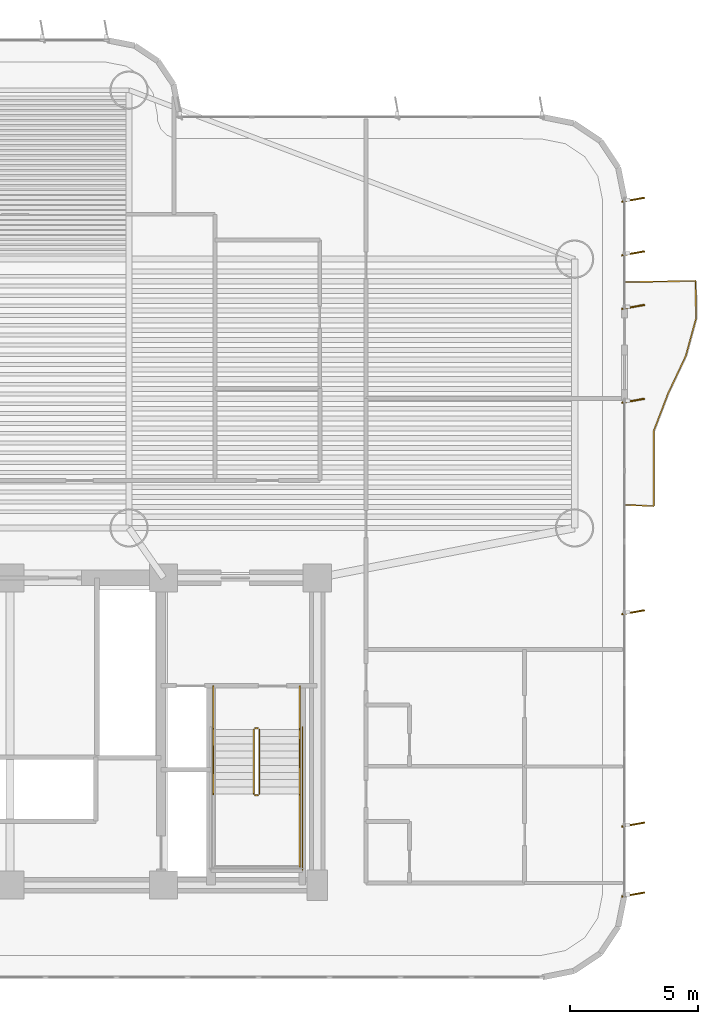
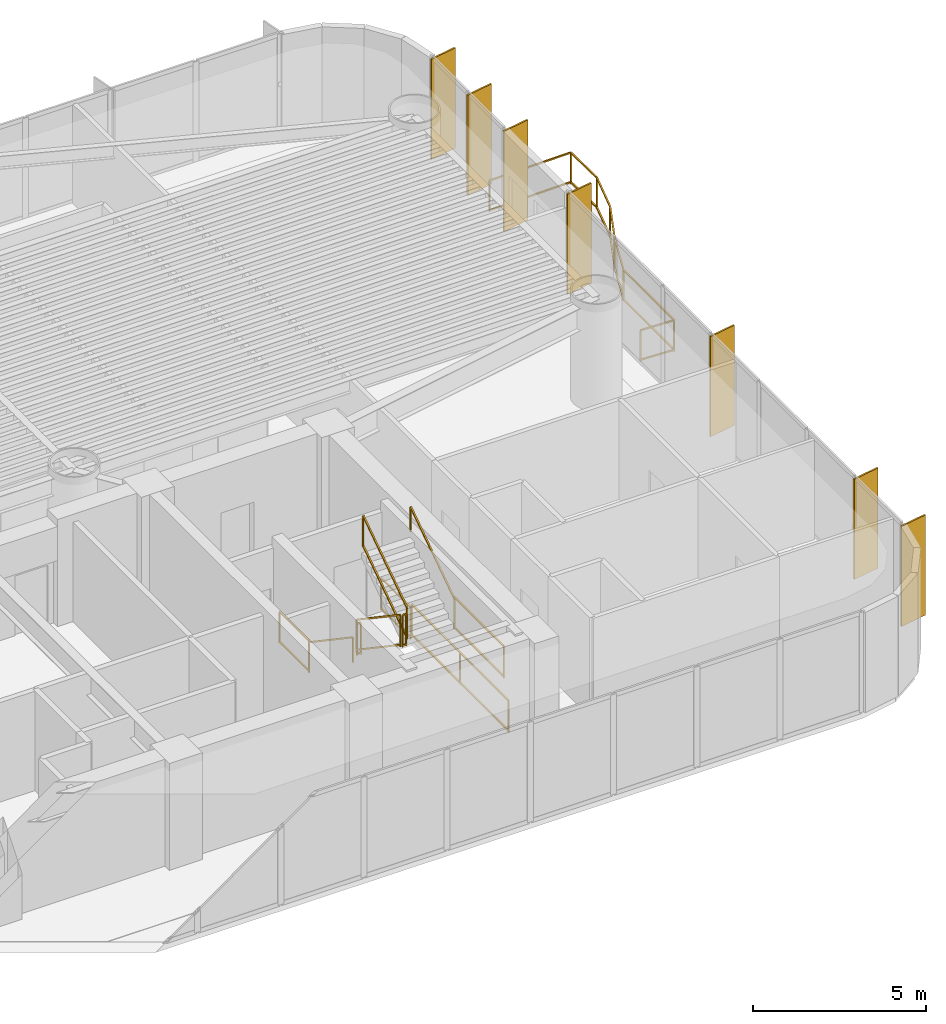
# One storey, part 16 of 17: 11 railings, 7 shading devices.
"""IFC4 building model written with IfcOpenShell, lengths in metres."""

import ifcopenshell
import ifcopenshell.guid

model = None  # the IFC model being written
_history = None  # IfcOwnerHistory: only IFC2X3 demands one
_inside = {}  # id of a spatial element -> (the spatial element, [elements in it])
_under = {}  # id of a project, library or spatial element -> (it, [spatial elements below it])
_declared = {}  # id of a project -> (the project, [libraries it declares])
_typed = {}  # id of a type object -> (the type object, [elements of that type])
_made_of = {}  # id of a material, layer set ... -> (it, [elements and type objects made of it])


def new_model(schema):
    """Start an empty IFC model of exactly this schema.

    Asked for "IFC4X3", IfcOpenShell would pick the latest addendum, in which some entities
    have other attributes; the version numbers below select the first issue.
    IFC2X3 requires an IfcOwnerHistory on every rooted entity: one is made here for all.
    """
    global model, _history
    if schema == "IFC4X3":
        model = ifcopenshell.file(schema_version=(4, 3, 0, 0))
    else:
        model = ifcopenshell.file(schema=schema)
    _inside.clear()
    _under.clear()
    _declared.clear()
    _typed.clear()
    _made_of.clear()
    _history = None
    if model.schema == "IFC2X3":
        org = make("IfcOrganization", Name="unknown")
        user = make(
            "IfcPersonAndOrganization",
            ThePerson=make("IfcPerson", FamilyName="unknown"),
            TheOrganization=org,
        )
        app = make(
            "IfcApplication",
            ApplicationDeveloper=org,
            Version="unknown",
            ApplicationFullName="unknown",
            ApplicationIdentifier="unknown",
        )
        _history = make(
            "IfcOwnerHistory",
            OwningUser=user,
            OwningApplication=app,
            ChangeAction="ADDED",
            CreationDate=0,
        )
    return model


def make(cls, **values):
    """One entity of the class cls with the attributes given. An attribute that is None is left unset."""
    return model.create_entity(
        cls, **{name: value for name, value in values.items() if value is not None}
    )


def rooted(cls, **values):
    """An entity with a GlobalId (a new one), such as an element, a storey or a relation."""
    return make(cls, GlobalId=ifcopenshell.guid.new(), OwnerHistory=_history, **values)


def si_unit(unit_type, name, prefix=None):
    """IfcSIUnit, for example si_unit("LENGTHUNIT", "METRE", prefix="MILLI")."""
    return make("IfcSIUnit", UnitType=unit_type, Prefix=prefix, Name=name)


def assignment(units):
    """IfcUnitAssignment: the units of a project."""
    return None if units is None else make("IfcUnitAssignment", Units=units)


def point(xyz):
    """IfcCartesianPoint."""
    return None if xyz is None else make("IfcCartesianPoint", Coordinates=xyz)


def direction(xyz):
    """IfcDirection."""
    return None if xyz is None else make("IfcDirection", DirectionRatios=xyz)


def frame(location, z_axis=None, x_axis=None):
    """IfcAxis2Placement3D, a coordinate frame: its origin and axes. An axis left out is left unset."""
    return make(
        "IfcAxis2Placement3D",
        Location=point(location),
        Axis=direction(z_axis),
        RefDirection=direction(x_axis),
    )


def frame_2d(location, x_axis=None):
    """IfcAxis2Placement2D, a coordinate frame in the plane: its origin and x axis."""
    return make(
        "IfcAxis2Placement2D", Location=point(location), RefDirection=direction(x_axis)
    )


def origin():
    """The frame at (0, 0, 0) with its axes left unset."""
    return frame((0.0, 0.0, 0.0))


def origin_2d():
    """The frame at (0, 0) in the plane with its x axis left unset."""
    return frame_2d((0.0, 0.0))


def place(relative_to, where):
    """IfcLocalPlacement: puts the frame where relative to a parent placement (None: the world)."""
    return make(
        "IfcLocalPlacement", PlacementRelTo=relative_to, RelativePlacement=where
    )


def context(
    kind, dimensions, precision=None, world=None, true_north=None, identifier=None
):
    """IfcGeometricRepresentationContext, for example the 3D "Model" context."""
    return make(
        "IfcGeometricRepresentationContext",
        ContextIdentifier=identifier,
        ContextType=kind,
        CoordinateSpaceDimension=dimensions,
        Precision=precision,
        WorldCoordinateSystem=world,
        TrueNorth=true_north,
    )


def subcontext(parent, identifier, kind, view, scale=None):
    """IfcGeometricRepresentationSubContext, for example "Body" below "Model"."""
    return make(
        "IfcGeometricRepresentationSubContext",
        ContextIdentifier=identifier,
        ContextType=kind,
        ParentContext=parent,
        TargetScale=scale,
        TargetView=view,
    )


def project(units=None, contexts=None):
    """IfcProject with its units and contexts."""
    return rooted(
        "IfcProject",
        Name="project",
        RepresentationContexts=contexts,
        UnitsInContext=assignment(units),
    )


def spatial(cls, under=None, at=None, **own):
    """A site, building, storey or space (cls), placed at a placement, below another one or the project."""
    s = rooted(cls, ObjectPlacement=at, **own)
    if under is not None:
        _under.setdefault(under.id(), (under, []))[1].append(s)
    return s


def profile(cls, at=None, kind="AREA", **sizes):
    """A parametric profile (cls). Its sizes go by their IFC names, for example OverallWidth=200.0."""
    return make(cls, ProfileType=kind, Position=at, **sizes)


def rectangle(**sizes):
    """IfcRectangleProfileDef."""
    return profile("IfcRectangleProfileDef", **sizes)


def extrude(swept, where, along, depth):
    """IfcExtrudedAreaSolid: the profile swept, set in the frame where, extruded along a direction by depth."""
    return make(
        "IfcExtrudedAreaSolid",
        SweptArea=swept,
        Position=where,
        ExtrudedDirection=direction(along),
        Depth=depth,
    )


def shape(context_of_items, identifier, shape_type, items):
    """IfcShapeRepresentation: the items that make up one representation, for example the "Body"."""
    return make(
        "IfcShapeRepresentation",
        ContextOfItems=context_of_items,
        RepresentationIdentifier=identifier,
        RepresentationType=shape_type,
        Items=items,
    )


def source(mapping_origin, context_of_items, identifier, shape_type, items):
    """IfcRepresentationMap: a shape defined once, which mapped items show again and again."""
    return make(
        "IfcRepresentationMap",
        MappingOrigin=mapping_origin,
        MappedRepresentation=shape(context_of_items, identifier, shape_type, items),
    )


def transform(
    local_origin,
    x_axis=None,
    y_axis=None,
    z_axis=None,
    scale=None,
    scale2=None,
    scale3=None,
    uniform=True,
):
    """IfcCartesianTransformationOperator3D, or its non-uniform kind. x_axis, y_axis, z_axis: its Axis1, 2, 3."""
    if uniform:
        return make(
            "IfcCartesianTransformationOperator3D",
            Axis1=direction(x_axis),
            Axis2=direction(y_axis),
            LocalOrigin=point(local_origin),
            Scale=scale,
            Axis3=direction(z_axis),
        )
    return make(
        "IfcCartesianTransformationOperator3DnonUniform",
        Axis1=direction(x_axis),
        Axis2=direction(y_axis),
        LocalOrigin=point(local_origin),
        Scale=scale,
        Axis3=direction(z_axis),
        Scale2=scale2,
        Scale3=scale3,
    )


def mapped(mapping_source, mapping_target):
    """IfcMappedItem: shows the shape of a source again, moved by a transform."""
    return make(
        "IfcMappedItem", MappingSource=mapping_source, MappingTarget=mapping_target
    )


def material(Name=None, Category=None):
    """IfcMaterial."""
    return make("IfcMaterial", Name=Name, Category=Category)


def layer(
    of_material, thickness, ventilated=None, Name=None, Category=None, Priority=None
):
    """IfcMaterialLayer: one layer of a wall or slab, of a material (None: an air gap)."""
    return make(
        "IfcMaterialLayer",
        Material=of_material,
        LayerThickness=thickness,
        IsVentilated=ventilated,
        Name=Name,
        Category=Category,
        Priority=Priority,
    )


def layer_set(layers, Name=None):
    """IfcMaterialLayerSet."""
    return make("IfcMaterialLayerSet", MaterialLayers=layers, LayerSetName=Name)


def material_profile(
    of_material, cross_section, Name=None, Category=None, Priority=None
):
    """IfcMaterialProfile: a cross section and its material."""
    return make(
        "IfcMaterialProfile",
        Name=Name,
        Material=of_material,
        Profile=cross_section,
        Priority=Priority,
        Category=Category,
    )


def profile_set(profiles, Name=None, composite=None):
    """IfcMaterialProfileSet."""
    return make(
        "IfcMaterialProfileSet",
        Name=Name,
        MaterialProfiles=profiles,
        CompositeProfile=composite,
    )


def made_of(thing, what):
    """Note that an element or type object is made of a material, layer set ...; save() writes the relation."""
    if what is not None:
        _made_of.setdefault(what.id(), (what, []))[1].append(thing)
    return thing


def type_object(cls, material=None, **own):
    """A type object (cls), such as IfcWallType, which elements share."""
    return made_of(rooted(cls, **own), material)


def element(
    cls,
    number,
    at=None,
    inside=None,
    cuts=None,
    type_object=None,
    material=None,
    context=None,
    identifier="Body",
    shape_type=None,
    held_by="IfcProductDefinitionShape",
    body=None,
    shapes=None,
    **own,
):
    """One element of the class cls, such as IfcWall. Its Tag is "e" and its number.

    at: its placement. inside: the storey or other place that contains it. cuts: it is an
    opening in that element (IfcRelVoidsElement). A single representation is given by context,
    identifier, shape_type and body (its items); several are given by shapes. held_by: the class
    of the entity that holds the representations. save() writes the other relations.
    """
    e = rooted(cls, Tag="e%d" % number, ObjectPlacement=at, **own)
    if body is not None:
        shapes = [shape(context, identifier, shape_type, body)]
    if shapes is not None:
        e.Representation = make(held_by, Representations=shapes)
    if inside is not None:
        _inside.setdefault(inside.id(), (inside, []))[1].append(e)
    if cuts is not None:
        rooted(
            "IfcRelVoidsElement", RelatingBuildingElement=cuts, RelatedOpeningElement=e
        )
    if type_object is not None:
        _typed.setdefault(type_object.id(), (type_object, []))[1].append(e)
    return made_of(e, material)


def aggregate(whole, parts):
    """IfcRelAggregates: a whole, such as a stair, and the parts it consists of."""
    return rooted("IfcRelAggregates", RelatingObject=whole, RelatedObjects=parts)


def save(model, path):
    """Write the relations noted so far, then the file.

    IfcRelAggregates (storeys below a building ...), IfcRelContainedInSpatialStructure (elements
    in a storey), IfcRelDefinesByType, IfcRelAssociatesMaterial and IfcRelDeclares: one each for
    every whole, place, type object, material and project.
    """
    for whole, parts in _under.values():
        aggregate(whole, parts)
    for where, things in _inside.values():
        rooted(
            "IfcRelContainedInSpatialStructure",
            RelatedElements=things,
            RelatingStructure=where,
        )
    for kind, things in _typed.values():
        rooted("IfcRelDefinesByType", RelatedObjects=things, RelatingType=kind)
    for what, things in _made_of.values():
        rooted("IfcRelAssociatesMaterial", RelatedObjects=things, RelatingMaterial=what)
    for by, libraries in _declared.values():
        rooted("IfcRelDeclares", RelatingContext=by, RelatedDefinitions=libraries)
    model.write(path)


model = new_model("IFC4")

# Units and contexts
model_context = context("Model", 3, precision=1e-05, world=origin(), true_north=direction((0.0, 1.0)))
body_context = subcontext(model_context, "Body", "Model", "MODEL_VIEW")
ifc_project = project(units=[si_unit("LENGTHUNIT", "METRE"), si_unit("AREAUNIT", "SQUARE_METRE"), si_unit("VOLUMEUNIT", "CUBIC_METRE"), si_unit("PLANEANGLEUNIT", "RADIAN"), si_unit("MASSUNIT", "GRAM", prefix="KILO")], contexts=[model_context])

# Site, building, storey
site_placement = place(None, origin())
site = spatial("IfcSite", under=ifc_project, at=site_placement, CompositionType="ELEMENT")
building_placement = place(site_placement, origin())
building = spatial("IfcBuilding", under=site, at=building_placement, Name="Brelvock Crest Care Tower", CompositionType="ELEMENT")
storey_placement = place(building_placement, frame((0.0, 0.0, 49.679931640625)))
storey = spatial("IfcBuildingStorey", under=building, at=storey_placement, Name="L12", CompositionType="ELEMENT", Elevation=49.679931640625)

# Railings
ifc_material_1 = material(Name="Dark Glass Double Glazed Low-E", Category="glass")
ifc_layer_1 = layer(ifc_material_1, 0.06005859375, Name="RL-BAL1")
ifc_layer_set_1 = layer_set([ifc_layer_1], Name="Dark Glass Double Glazed Low-E")
railing_type_1 = type_object("IfcRailingType", Name="RL-BAL1", PredefinedType="BALUSTRADE", material=ifc_layer_set_1)
railing_1_placement = place(storey_placement, frame((60.0400390625, 20.85009765625, 0.004150390625)))
element("IfcRailing", 1, at=railing_1_placement, inside=storey, type_object=railing_type_1, Name="L12 Safety Balustrade WB-E", PredefinedType="BALUSTRADE", context=body_context, shape_type="SweptSolid", body=[
    extrude(rectangle(XDim=0.048095703125, YDim=0.048095703125, at=origin_2d()), frame((0.001953125, 0.0, 1.09619140625), z_axis=(0.998966252902, -0.045457953795, 0.0), x_axis=(0.045457953795, 0.998966252902, 0.0)), (0.0, 0.0, 1.0), 1.096923828125),
    extrude(rectangle(XDim=0.048095703125, YDim=0.048095703125, at=origin_2d()), frame((0.001953125, 0.0, 0.054931640625), z_axis=(0.998966252902, -0.045457953795, 0.0), x_axis=(0.045457953795, 0.998966252902, 0.0)), (0.0, 0.0, 1.0), 1.096923828125),
    extrude(rectangle(XDim=0.048095703125, YDim=0.048095703125, at=origin_2d()), frame((1.099853515625, -0.048095703125, 1.09619140625), z_axis=(0.0, 1.0, 0.0), x_axis=(-1.0, 0.0, 0.0)), (0.0, 0.0, 1.0), 2.929443359375),
    extrude(rectangle(XDim=0.048095703125, YDim=0.048095703125, at=origin_2d()), frame((1.099853515625, -0.048095703125, 0.054931640625), z_axis=(0.0, 1.0, 0.0), x_axis=(-1.0, 0.0, 0.0)), (0.0, 0.0, 1.0), 2.929443359375),
    extrude(rectangle(XDim=0.048095703125, YDim=0.048095703125, at=origin_2d()), frame((1.1005859375, 2.88525390625, 1.09619140625), z_axis=(0.357436663677, 0.933937380909, 0.0), x_axis=(-0.933937380909, 0.357436663677, 0.0)), (0.0, 0.0, 1.0), 1.56640625),
    extrude(rectangle(XDim=0.048095703125, YDim=0.048095703125, at=origin_2d()), frame((1.1005859375, 2.88525390625, 0.054931640625), z_axis=(0.357436663677, 0.933937380909, 0.0), x_axis=(-0.933937380909, 0.357436663677, 0.0)), (0.0, 0.0, 1.0), 1.56640625),
    extrude(rectangle(XDim=0.048095703125, YDim=0.048095703125, at=origin_2d()), frame((1.661865234375, 4.3515625, 1.09619140625), z_axis=(0.426746449171, 0.904371310978, 0.0), x_axis=(-0.904371310978, 0.426746449171, 0.0)), (0.0, 0.0, 1.0), 1.617919921875),
    extrude(rectangle(XDim=0.048095703125, YDim=0.048095703125, at=origin_2d()), frame((1.661865234375, 4.3515625, 0.054931640625), z_axis=(0.426746449171, 0.904371310978, 0.0), x_axis=(-0.904371310978, 0.426746449171, 0.0)), (0.0, 0.0, 1.0), 1.617919921875),
    extrude(rectangle(XDim=0.048095703125, YDim=0.048095703125, at=origin_2d()), frame((2.353759765625, 5.818603515625, 1.09619140625), z_axis=(0.263525028953, 0.964652558756, 0.0), x_axis=(-0.964652558756, 0.263525028953, 0.0)), (0.0, 0.0, 1.0), 1.516357421875),
    extrude(rectangle(XDim=0.048095703125, YDim=0.048095703125, at=origin_2d()), frame((2.353759765625, 5.818603515625, 0.054931640625), z_axis=(0.263525028953, 0.964652558756, 0.0), x_axis=(-0.964652558756, 0.263525028953, 0.0)), (0.0, 0.0, 1.0), 1.516357421875),
    extrude(rectangle(XDim=0.048095703125, YDim=0.048095703125, at=origin_2d()), frame((2.75390625, 7.28515625, 1.09619140625), z_axis=(-0.013647197663, 0.999906872662, 0.0), x_axis=(-0.999906872662, -0.013647197663, 0.0)), (0.0, 0.0, 1.0), 1.462890625),
    extrude(rectangle(XDim=0.048095703125, YDim=0.048095703125, at=origin_2d()), frame((2.75390625, 7.28515625, 0.054931640625), z_axis=(-0.013647197663, 0.999906872662, 0.0), x_axis=(-0.999906872662, -0.013647197663, 0.0)), (0.0, 0.0, 1.0), 1.462890625),
    extrude(rectangle(XDim=0.048095703125, YDim=0.048095703125, at=origin_2d()), frame((2.73193359375, 8.75, 1.09619140625), z_axis=(-0.999832471903, -0.018303773597, 0.0), x_axis=(0.018303773597, -0.999832471903, 0.0)), (0.0, 0.0, 1.0), 2.730224609375),
    extrude(rectangle(XDim=0.048095703125, YDim=0.048095703125, at=origin_2d()), frame((2.73193359375, 8.75, 0.054931640625), z_axis=(-0.999832471903, -0.018303773597, 0.0), x_axis=(0.018303773597, -0.999832471903, 0.0)), (0.0, 0.0, 1.0), 2.730224609375),
    extrude(rectangle(XDim=0.0419921875, YDim=0.0419921875, at=origin_2d()), origin(), (0.0, 0.0, 1.0), 1.070068359375),
    extrude(rectangle(XDim=0.0419921875, YDim=0.0419921875, at=origin_2d()), frame((1.099853515625, -0.050048828125, 0.0)), (0.0, 0.0, 1.0), 1.070068359375),
    extrude(rectangle(XDim=0.0419921875, YDim=0.0419921875, at=origin_2d()), frame((1.099853515625, 2.88330078125, 0.0)), (0.0, 0.0, 1.0), 1.070068359375),
    extrude(rectangle(XDim=0.0419921875, YDim=0.0419921875, at=origin_2d()), frame((1.6611328125, 4.349853515625, 0.0)), (0.0, 0.0, 1.0), 1.070068359375),
    extrude(rectangle(XDim=0.0419921875, YDim=0.0419921875, at=origin_2d()), frame((2.353271484375, 5.816650390625, 0.0)), (0.0, 0.0, 1.0), 1.070068359375),
    extrude(rectangle(XDim=0.0419921875, YDim=0.0419921875, at=origin_2d()), frame((2.75390625, 7.283203125, 0.0)), (0.0, 0.0, 1.0), 1.070068359375),
    extrude(rectangle(XDim=0.0419921875, YDim=0.0419921875, at=origin_2d()), frame((2.73388671875, 8.75, 0.0)), (0.0, 0.0, 1.0), 1.070068359375),
    extrude(rectangle(XDim=0.0419921875, YDim=0.0419921875, at=origin_2d()), frame((0.0, 8.699951171875, 0.0)), (0.0, 0.0, 1.0), 1.070068359375),
])
ifc_material_2 = material(Name="Steel Grade 350", Category="steel")
ifc_layer_2 = layer(ifc_material_2, 0.050048828125, Name="RL-STG1")
ifc_layer_set_2 = layer_set([ifc_layer_2], Name="Steel Grade 350")
railing_type_2 = type_object("IfcRailingType", Name="RL-STG1", PredefinedType="GUARDRAIL", material=ifc_layer_set_2)
railing_2_placement = place(storey_placement, frame((45.52001953125, 12.080078125, 0.18896484375)))
element("IfcRailing", 2, at=railing_2_placement, inside=storey, type_object=railing_type_2, Name="L12 ST-2 stair guard 1", PredefinedType="GUARDRAIL", context=body_context, shape_type="SweptSolid", body=[
    extrude(rectangle(XDim=0.048095703125, YDim=0.048095703125, at=origin_2d()), frame((0.0, -0.001708984375, 1.116943359375), z_axis=(0.0, -0.82882447046, 0.559508710537), x_axis=(1.0, 0.0, 0.0)), (0.0, 0.0, 1.0), 3.036376953125),
    extrude(rectangle(XDim=0.048095703125, YDim=0.048095703125, at=origin_2d()), frame((0.0, -0.001708984375, 0.05615234375), z_axis=(0.0, -0.82882447046, 0.559508710537), x_axis=(1.0, 0.0, 0.0)), (0.0, 0.0, 1.0), 3.036376953125),
    extrude(rectangle(XDim=0.0419921875, YDim=0.0419921875, at=origin_2d()), origin(), (0.0, 0.0, 1.0), 1.08984375),
    extrude(rectangle(XDim=0.0419921875, YDim=0.0419921875, at=origin_2d()), frame((0.0, -2.52001953125, 1.701171875)), (0.0, 0.0, 1.0), 1.08984375),
])
railing_3_placement = place(storey_placement, frame((45.570068359375, 9.510009765625, 1.89013671875)))
element("IfcRailing", 3, at=railing_3_placement, inside=storey, type_object=railing_type_2, Name="L12 ST-2 stair guard 2", PredefinedType="GUARDRAIL", context=body_context, shape_type="SweptSolid", body=[
    extrude(rectangle(XDim=0.048095703125, YDim=0.048095703125, at=origin_2d()), frame((0.001953125, 0.0, 1.11572265625), z_axis=(1.0, 0.0, 0.0), x_axis=(0.0, 1.0, 0.0)), (0.0, 0.0, 1.0), 0.115966796875),
    extrude(rectangle(XDim=0.048095703125, YDim=0.048095703125, at=origin_2d()), frame((0.001953125, 0.0, 0.054931640625), z_axis=(1.0, 0.0, 0.0), x_axis=(0.0, 1.0, 0.0)), (0.0, 0.0, 1.0), 0.115966796875),
    extrude(rectangle(XDim=0.0419921875, YDim=0.0419921875, at=origin_2d()), origin(), (0.0, 0.0, 1.0), 1.08984375),
    extrude(rectangle(XDim=0.0419921875, YDim=0.0419921875, at=origin_2d()), frame((0.119873046875, 0.0, 0.0)), (0.0, 0.0, 1.0), 1.08984375),
])
railing_4_placement = place(storey_placement, frame((47.320068359375, 9.56005859375, 1.89013671875)))
element("IfcRailing", 4, at=railing_4_placement, inside=storey, type_object=railing_type_2, Name="L12 ST-2 stair guard 4", PredefinedType="GUARDRAIL", context=body_context, shape_type="SweptSolid", body=[
    extrude(rectangle(XDim=0.048095703125, YDim=0.048095703125, at=origin_2d()), frame((0.0, -0.001953125, 1.11572265625), z_axis=(0.0, -1.0, 0.0), x_axis=(1.0, 0.0, 0.0)), (0.0, 0.0, 1.0), 2.856201171875),
    extrude(rectangle(XDim=0.048095703125, YDim=0.048095703125, at=origin_2d()), frame((0.0, -0.001953125, 0.054931640625), z_axis=(0.0, -1.0, 0.0), x_axis=(1.0, 0.0, 0.0)), (0.0, 0.0, 1.0), 2.856201171875),
    extrude(rectangle(XDim=0.0419921875, YDim=0.0419921875, at=origin_2d()), origin(), (0.0, 0.0, 1.0), 1.08984375),
    extrude(rectangle(XDim=0.0419921875, YDim=0.0419921875, at=origin_2d()), frame((0.0, -2.860107421875, 0.0)), (0.0, 0.0, 1.0), 1.08984375),
])
railing_5_placement = place(storey_placement, frame((45.739990234375, 9.56005859375, 2.0791015625)))
element("IfcRailing", 5, at=railing_5_placement, inside=storey, type_object=railing_type_2, Name="L12 ST-2 stair guard 6", PredefinedType="GUARDRAIL", context=body_context, shape_type="SweptSolid", body=[
    extrude(rectangle(XDim=0.048095703125, YDim=0.048095703125, at=origin_2d()), frame((0.0, 0.001708984375, 1.116943359375), z_axis=(0.0, 0.828861706735, 0.559453546873), x_axis=(-1.0, 0.0, 0.0)), (0.0, 0.0, 1.0), 3.036376953125),
    extrude(rectangle(XDim=0.048095703125, YDim=0.048095703125, at=origin_2d()), frame((0.0, 0.001708984375, 0.05615234375), z_axis=(0.0, 0.828861706735, 0.559453546873), x_axis=(-1.0, 0.0, 0.0)), (0.0, 0.0, 1.0), 3.036376953125),
    extrude(rectangle(XDim=0.0419921875, YDim=0.0419921875, at=origin_2d()), origin(), (0.0, 0.0, 1.0), 1.08984375),
    extrude(rectangle(XDim=0.0419921875, YDim=0.0419921875, at=origin_2d()), frame((0.0, 2.52001953125, 1.700927734375)), (0.0, 0.0, 1.0), 1.08984375),
])
railing_6_placement = place(storey_placement, frame((45.570068359375, 12.1298828125, 0.0)))
element("IfcRailing", 6, at=railing_6_placement, inside=storey, type_object=railing_type_2, Name="L12 ST-2 stair guard 7", PredefinedType="GUARDRAIL", context=body_context, shape_type="SweptSolid", body=[
    extrude(rectangle(XDim=0.048095703125, YDim=0.048095703125, at=origin_2d()), frame((0.001953125, 0.0, 1.11572265625), z_axis=(1.0, 0.0, 0.0), x_axis=(0.0, 1.0, 0.0)), (0.0, 0.0, 1.0), 0.115966796875),
    extrude(rectangle(XDim=0.048095703125, YDim=0.048095703125, at=origin_2d()), frame((0.001953125, 0.0, 0.054931640625), z_axis=(1.0, 0.0, 0.0), x_axis=(0.0, 1.0, 0.0)), (0.0, 0.0, 1.0), 0.115966796875),
    extrude(rectangle(XDim=0.0419921875, YDim=0.0419921875, at=origin_2d()), origin(), (0.0, 0.0, 1.0), 1.08984375),
    extrude(rectangle(XDim=0.0419921875, YDim=0.0419921875, at=origin_2d()), frame((0.119873046875, 0.0, 0.0)), (0.0, 0.0, 1.0), 1.08984375),
])
for number, where, name in (
    (7, (43.93994140625, 13.780029296875, 0.0), "L12 ST-2 stair guard 8"),
    (8, (47.320068359375, 13.780029296875, 0.0), "L12 ST-2 stair guard 9"),
):
    element("IfcRailing", number, at=place(storey_placement, frame(where)), inside=storey, type_object=railing_type_2, Name=name, PredefinedType="GUARDRAIL", context=body_context, shape_type="SweptSolid", body=[
        extrude(rectangle(XDim=0.048095703125, YDim=0.048095703125, at=origin_2d()), frame((0.0, -0.001953125, 1.11572265625), z_axis=(0.0, -1.0, 0.0), x_axis=(1.0, 0.0, 0.0)), (0.0, 0.0, 1.0), 1.696044921875),
        extrude(rectangle(XDim=0.048095703125, YDim=0.048095703125, at=origin_2d()), frame((0.0, -0.001953125, 0.054931640625), z_axis=(0.0, -1.0, 0.0), x_axis=(1.0, 0.0, 0.0)), (0.0, 0.0, 1.0), 1.696044921875),
        extrude(rectangle(XDim=0.0419921875, YDim=0.0419921875, at=origin_2d()), origin(), (0.0, 0.0, 1.0), 1.08984375),
        extrude(rectangle(XDim=0.0419921875, YDim=0.0419921875, at=origin_2d()), frame((0.0, -1.699951171875, 0.0)), (0.0, 0.0, 1.0), 1.08984375),
    ])
railing_7_placement = place(storey_placement, frame((47.419921875, 12.179931640625, 0.0)))
element("IfcRailing", 9, at=railing_7_placement, inside=storey, type_object=railing_type_2, Name="L12 ST-2 stair guard 11", PredefinedType="GUARDRAIL", context=body_context, shape_type="SweptSolid", body=[
    extrude(rectangle(XDim=0.048095703125, YDim=0.048095703125, at=origin_2d()), frame((0.0, -0.001953125, 1.11572265625), z_axis=(0.0, -1.0, 0.0), x_axis=(1.0, 0.0, 0.0)), (0.0, 0.0, 1.0), 5.575927734375),
    extrude(rectangle(XDim=0.048095703125, YDim=0.048095703125, at=origin_2d()), frame((0.0, -0.001953125, 0.054931640625), z_axis=(0.0, -1.0, 0.0), x_axis=(1.0, 0.0, 0.0)), (0.0, 0.0, 1.0), 5.575927734375),
    extrude(rectangle(XDim=0.0419921875, YDim=0.0419921875, at=origin_2d()), origin(), (0.0, 0.0, 1.0), 1.08984375),
    extrude(rectangle(XDim=0.0419921875, YDim=0.0419921875, at=origin_2d()), frame((0.0, -2.7900390625, 0.0)), (0.0, 0.0, 1.0), 1.08984375),
    extrude(rectangle(XDim=0.0419921875, YDim=0.0419921875, at=origin_2d()), frame((0.0, -5.579833984375, 0.0)), (0.0, 0.0, 1.0), 1.08984375),
])
ifc_layer_3 = layer(ifc_material_2, 0.048095703125, Name="RL-STH1")
ifc_layer_set_3 = layer_set([ifc_layer_3], Name="Steel Grade 350")
railing_type_3 = type_object("IfcRailingType", Name="RL-STH1", PredefinedType="HANDRAIL", material=ifc_layer_set_3)
railing_8_placement = place(storey_placement, frame((43.93994140625, 12.080078125, 0.18896484375)))
element("IfcRailing", 10, at=railing_8_placement, inside=storey, type_object=railing_type_3, Name="L12 ST-2 stair handrail 1", PredefinedType="HANDRAIL", context=body_context, shape_type="SweptSolid", body=[
    extrude(rectangle(XDim=0.048095703125, YDim=0.048095703125, at=origin_2d()), frame((0.0, -0.001708984375, 0.876953125), z_axis=(0.0, -0.82882447046, 0.559508710537), x_axis=(1.0, 0.0, 0.0)), (0.0, 0.0, 1.0), 3.036376953125),
    extrude(rectangle(XDim=0.0419921875, YDim=0.0419921875, at=origin_2d()), origin(), (0.0, 0.0, 1.0), 0.849853515625),
    extrude(rectangle(XDim=0.0419921875, YDim=0.0419921875, at=origin_2d()), frame((0.0, -2.52001953125, 1.701171875)), (0.0, 0.0, 1.0), 0.849853515625),
])
railing_9_placement = place(storey_placement, frame((47.320068359375, 9.56005859375, 2.0791015625)))
element("IfcRailing", 11, at=railing_9_placement, inside=storey, type_object=railing_type_3, Name="L12 ST-2 stair handrail 2", PredefinedType="HANDRAIL", context=body_context, shape_type="SweptSolid", body=[
    extrude(rectangle(XDim=0.048095703125, YDim=0.048095703125, at=origin_2d()), frame((0.0, 0.001708984375, 0.876953125), z_axis=(0.0, 0.828861706735, 0.559453546873), x_axis=(-1.0, 0.0, 0.0)), (0.0, 0.0, 1.0), 3.036376953125),
    extrude(rectangle(XDim=0.0419921875, YDim=0.0419921875, at=origin_2d()), origin(), (0.0, 0.0, 1.0), 0.849853515625),
    extrude(rectangle(XDim=0.0419921875, YDim=0.0419921875, at=origin_2d()), frame((0.0, 2.52001953125, 1.700927734375)), (0.0, 0.0, 1.0), 0.849853515625),
])

# Shading devices
ifc_material_3 = material(Name="Aluminium 6063-T6", Category="aluminium")
ifc_material_profile = material_profile(ifc_material_3, rectangle(XDim=0.054931640625, YDim=0.89990234375, at=origin_2d()), Name="FIN55x900")
ifc_profile_set = profile_set([ifc_material_profile], Name="Aluminium 6063-T6")
shading_device_type = type_object("IfcShadingDeviceType", Name="SHD-FIN1", PredefinedType="USERDEFINED", material=ifc_profile_set)
shared_shape = source(origin(), body_context, "Body", "SweptSolid", [
    extrude(rectangle(XDim=0.054931640625, YDim=0.89990234375, at=origin_2d()), origin(), (0.0, 0.0, 1.0), 3.530029296875),
])
for number, where, z_axis, x_axis, name in (
    (12, (60.340087890625, 32.767578125, 0.0), (0.0, 0.0, 1.0), (0.173648177667, -0.984807753012, 0.0), "L12 Vertical Sunshade Fin E03A-01"),
    (13, (60.340087890625, 30.675048828125, 0.0), (0.0, 0.0, 1.0), (0.173648177667, -0.984807753012, 0.0), "L12 Vertical Sunshade Fin E03A-02"),
    (14, (60.340087890625, 28.58251953125, 0.0), (0.0, 0.0, 1.0), (0.173648177667, -0.984807753012, 0.0), "L12 Vertical Sunshade Fin E03A-03"),
    (15, (60.340087890625, 24.91748046875, 0.0), (0.0, 0.0, 1.0), (0.173648177667, -0.984807753012, 0.0), "L12 Vertical Sunshade Fin E03B-01"),
    (16, (60.340087890625, 16.656982421875, 0.0), (0.0, 0.0, 1.0), (0.173648177667, -0.984807753012, 0.0), "L12 Vertical Sunshade Fin E03B-04"),
    (17, (60.340087890625, 8.3642578125, 0.0), (0.0, 0.0, 1.0), (0.173648177667, -0.984807753012, 0.0), "L12 Vertical Sunshade Fin E03B-07"),
    (18, (60.340087890625, 5.632568359375, 0.0), (0.0, 0.0, 1.0), (0.173648177667, -0.984807753012, 0.0), "L12 Vertical Sunshade Fin E03B-08"),
):
    element("IfcShadingDevice", number, at=place(storey_placement, frame(where, z_axis=z_axis, x_axis=x_axis)), inside=storey, type_object=shading_device_type, Name=name, ObjectType="FIN", PredefinedType="USERDEFINED", context=body_context, shape_type="MappedRepresentation", body=[
        mapped(shared_shape, transform((0.0, 0.0, 0.0), x_axis=(1.0, 0.0, 0.0), y_axis=(0.0, 1.0, 0.0), z_axis=(0.0, 0.0, 1.0), scale=1.0)),
    ])

save(model, "model.ifc")
